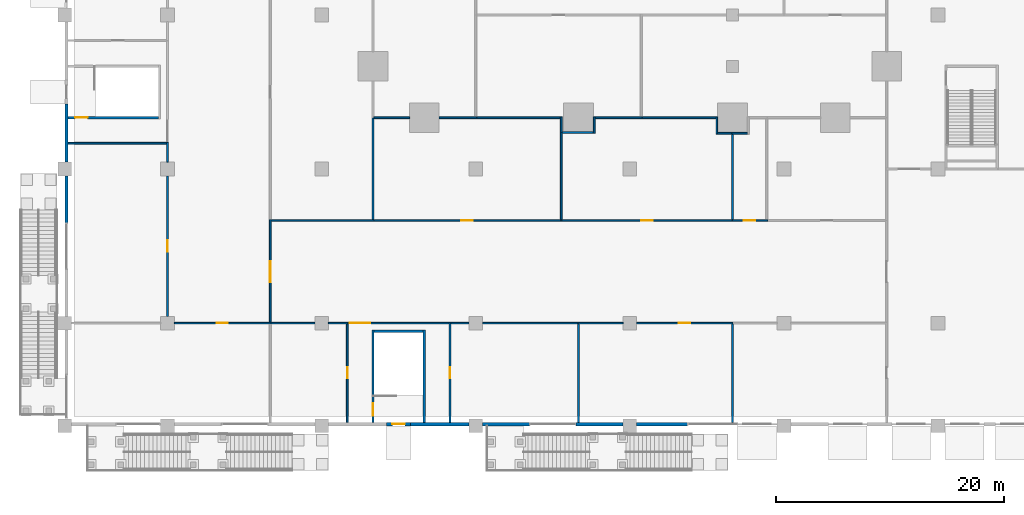
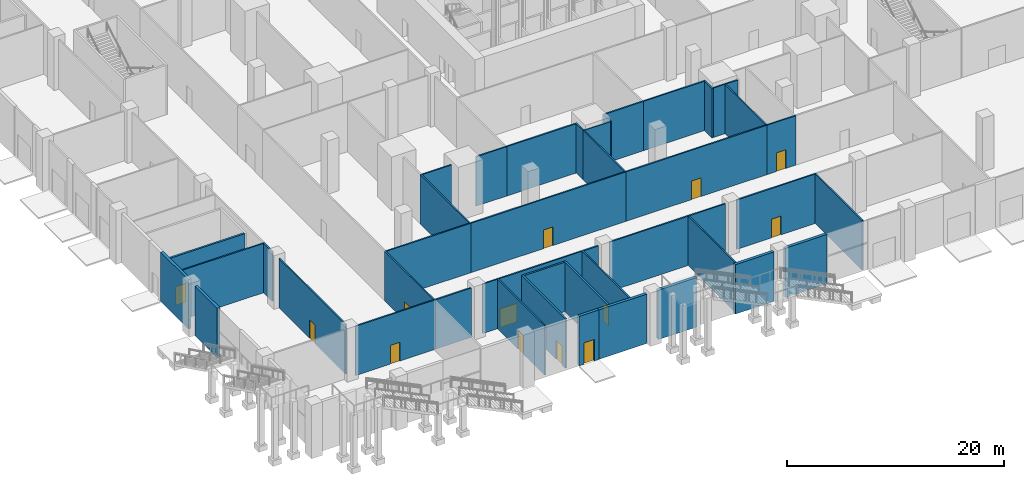
# One storey, part 23 of 68: 45 walls, 13 doors, 13 openings.
"""IFC4 building model written with IfcOpenShell, lengths in metres."""

from ifc_helpers import new_model, si_unit, direction, frame, frame_2d, origin, place, context, subcontext, project, spatial, rectangle, extrude, material, layer, layer_set, type_object, element, fill, save


model = new_model("IFC4")

# Units and contexts
model_context = context("Model", 3, precision=1e-05, world=origin(), true_north=direction((0.0, 1.0)))
body_context = subcontext(model_context, "Body", "Model", "MODEL_VIEW")
ifc_project = project(units=[si_unit("LENGTHUNIT", "METRE"), si_unit("AREAUNIT", "SQUARE_METRE"), si_unit("VOLUMEUNIT", "CUBIC_METRE"), si_unit("PLANEANGLEUNIT", "RADIAN"), si_unit("MASSUNIT", "GRAM", prefix="KILO")], contexts=[model_context])

# Site, building, storey
site_placement = place(None, origin())
site = spatial("IfcSite", under=ifc_project, at=site_placement, CompositionType="ELEMENT")
building_placement = place(site_placement, origin())
building = spatial("IfcBuilding", under=site, at=building_placement, Name="Altepetl Exchange Towers", CompositionType="ELEMENT")
storey_placement = place(building_placement, origin())
storey = spatial("IfcBuildingStorey", under=building, at=storey_placement, Name="L00 Ground concourse", CompositionType="ELEMENT", Elevation=0.0)

# Wall, opening, door
ifc_material_1 = material(Name="Gypsum board on steel studs", Category="steel")
ifc_layer_1 = layer(ifc_material_1, 0.14990234375)
ifc_layer_set_1 = layer_set([ifc_layer_1], Name="Gypsum board on steel studs")
wall_type_1 = type_object("IfcWallType", Name="Podium partition 150", PredefinedType="PARTITIONING", material=ifc_layer_set_1)
wall_1_placement = place(storey_placement, frame((9.594970703125, 9.0, 0.0)))
wall_1 = element("IfcWall", 1, at=wall_1_placement, inside=storey, type_object=wall_type_1, Name="wall:P:L00:P043", PredefinedType="PARTITIONING", context=body_context, shape_type="SweptSolid", body=[
    extrude(rectangle(XDim=8.47998046875, YDim=0.14990234375, at=frame_2d((4.239990234375, 0.0))), origin(), (0.0, 0.0, 1.0), 5.550048828125),
])
opening_1_placement = place(wall_1_placement, frame((3.699951171875, 0.0, 0.0)))
opening_1 = element("IfcOpeningElement", 2, at=opening_1_placement, cuts=wall_1, Name="Opening L00.P001", PredefinedType="OPENING", context=body_context, shape_type="SweptSolid", body=[
    extrude(rectangle(XDim=1.0, YDim=2.10009765625, at=frame_2d((0.5, 1.050048828125))), frame((0.0, 0.0849609375, 0.0), z_axis=(0.0, -1.0, 0.0), x_axis=(1.0, 0.0, 0.0)), (0.0, 0.0, 1.0), 0.169921875),
])
ifc_material_2 = material(Name="Steel and timber fire door", Category="steel")
door_type_1 = type_object("IfcDoorType", Name="Podium fire door 1000 x 2100 single leaf", OperationType="SINGLE_SWING_LEFT", PredefinedType="DOOR", material=ifc_material_2)
door_1_placement = place(opening_1_placement, frame((1.0, 0.0, 0.0), x_axis=(-1.0, 0.0, 0.0)))
door_1 = element("IfcDoor", 3, at=door_1_placement, inside=storey, type_object=door_type_1, Name="door:P:L00:001", OperationType="SINGLE_SWING_LEFT", OverallHeight=2.10009765625, OverallWidth=1.0, PredefinedType="DOOR", context=body_context, shape_type="SweptSolid", body=[
    extrude(rectangle(XDim=1.0, YDim=2.10009765625, at=frame_2d((0.5, 1.050048828125))), frame((0.0, 0.02490234375, 0.0), z_axis=(0.0, -1.0, 0.0), x_axis=(1.0, 0.0, 0.0)), (0.0, 0.0, 1.0), 0.050048828125),
])
fill(opening_1, door_1)

wall_2_placement = place(storey_placement, frame((24.75, 0.300048828125, 0.0), z_axis=(0.0, 0.0, 1.0), x_axis=(0.0, 1.0, 0.0)))
wall_2 = element("IfcWall", 4, at=wall_2_placement, inside=storey, type_object=wall_type_1, Name="wall:P:L00:P045", PredefinedType="PARTITIONING", context=body_context, shape_type="SweptSolid", body=[
    extrude(rectangle(XDim=8.77490234375, YDim=0.14990234375, at=frame_2d((4.387451171875, 0.0))), origin(), (0.0, 0.0, 1.0), 5.550048828125),
])
opening_2_placement = place(wall_2_placement, frame((3.85009765625, 0.0, 0.0)))
opening_2 = element("IfcOpeningElement", 5, at=opening_2_placement, cuts=wall_2, Name="Opening L00.P002", PredefinedType="OPENING", context=body_context, shape_type="SweptSolid", body=[
    extrude(rectangle(XDim=1.0, YDim=2.10009765625, at=frame_2d((0.5, 1.050048828125))), frame((0.0, 0.0849609375, 0.0), z_axis=(0.0, -1.0, 0.0), x_axis=(1.0, 0.0, 0.0)), (0.0, 0.0, 1.0), 0.169921875),
])
door_2_placement = place(opening_2_placement, origin())
door_2 = element("IfcDoor", 6, at=door_2_placement, inside=storey, type_object=door_type_1, Name="door:P:L00:002", OperationType="SINGLE_SWING_RIGHT", OverallHeight=2.10009765625, OverallWidth=1.0, PredefinedType="DOOR", context=body_context, shape_type="SweptSolid", body=[
    extrude(rectangle(XDim=1.0, YDim=2.10009765625, at=frame_2d((0.5, 1.050048828125))), frame((0.0, 0.02490234375, 0.0), z_axis=(0.0, -1.0, 0.0), x_axis=(1.0, 0.0, 0.0)), (0.0, 0.0, 1.0), 0.050048828125),
])
fill(opening_2, door_2)

# Walls
wall_3_placement = place(storey_placement, frame((18.074951171875, 9.0, 0.0)))
element("IfcWall", 7, at=wall_3_placement, inside=storey, type_object=wall_type_1, Name="wall:P:L00:P046", PredefinedType="PARTITIONING", context=body_context, shape_type="SweptSolid", body=[
    extrude(rectangle(XDim=3.830078125, YDim=0.14990234375, at=frame_2d((1.9150390625, 0.0))), origin(), (0.0, 0.0, 1.0), 5.550048828125),
])
wall_4_placement = place(storey_placement, frame((23.094970703125, 9.0, 0.0)))
element("IfcWall", 8, at=wall_4_placement, inside=storey, type_object=wall_type_1, Name="wall:P:L00:P047", PredefinedType="PARTITIONING", context=body_context, shape_type="SweptSolid", body=[
    extrude(rectangle(XDim=1.655029296875, YDim=0.14990234375, at=frame_2d((0.82763671875, 0.0))), origin(), (0.0, 0.0, 1.0), 5.550048828125),
])

# Wall, opening, door
wall_5_placement = place(storey_placement, frame((33.75, 0.300048828125, 0.0), z_axis=(0.0, 0.0, 1.0), x_axis=(0.0, 1.0, 0.0)))
wall_5 = element("IfcWall", 9, at=wall_5_placement, inside=storey, type_object=wall_type_1, Name="wall:P:L00:P048", PredefinedType="PARTITIONING", context=body_context, shape_type="SweptSolid", body=[
    extrude(rectangle(XDim=8.77490234375, YDim=0.14990234375, at=frame_2d((4.387451171875, 0.0))), origin(), (0.0, 0.0, 1.0), 5.550048828125),
])
opening_3_placement = place(wall_5_placement, frame((3.85009765625, 0.0, 0.0)))
opening_3 = element("IfcOpeningElement", 10, at=opening_3_placement, cuts=wall_5, Name="Opening L00.P003", PredefinedType="OPENING", context=body_context, shape_type="SweptSolid", body=[
    extrude(rectangle(XDim=1.0, YDim=2.10009765625, at=frame_2d((0.5, 1.050048828125))), frame((0.0, 0.0849609375, 0.0), z_axis=(0.0, -1.0, 0.0), x_axis=(1.0, 0.0, 0.0)), (0.0, 0.0, 1.0), 0.169921875),
])
door_3_placement = place(opening_3_placement, frame((1.0, 0.0, 0.0), x_axis=(-1.0, 0.0, 0.0)))
door_3 = element("IfcDoor", 11, at=door_3_placement, inside=storey, type_object=door_type_1, Name="door:P:L00:003", OperationType="SINGLE_SWING_LEFT", OverallHeight=2.10009765625, OverallWidth=1.0, PredefinedType="DOOR", context=body_context, shape_type="SweptSolid", body=[
    extrude(rectangle(XDim=1.0, YDim=2.10009765625, at=frame_2d((0.5, 1.050048828125))), frame((0.0, 0.02490234375, 0.0), z_axis=(0.0, -1.0, 0.0), x_axis=(1.0, 0.0, 0.0)), (0.0, 0.0, 1.0), 0.050048828125),
])
fill(opening_3, door_3)

wall_6_placement = place(storey_placement, frame((24.824951171875, 9.0, 0.0)))
wall_6 = element("IfcWall", 12, at=wall_6_placement, inside=storey, type_object=wall_type_1, Name="wall:P:L00:P049", PredefinedType="PARTITIONING", context=body_context, shape_type="SweptSolid", body=[
    extrude(rectangle(XDim=8.925048828125, YDim=0.14990234375, at=frame_2d((4.46240234375, 0.0))), origin(), (0.0, 0.0, 1.0), 5.550048828125),
])
opening_4_placement = place(wall_6_placement, frame((0.125, 0.0, 0.0)))
opening_4 = element("IfcOpeningElement", 13, at=opening_4_placement, cuts=wall_6, Name="Opening L00.P076", PredefinedType="OPENING", context=body_context, shape_type="SweptSolid", body=[
    extrude(rectangle(XDim=1.800048828125, YDim=2.10009765625, at=frame_2d((0.89990234375, 1.050048828125))), frame((0.0, 0.0849609375, 0.0), z_axis=(0.0, -1.0, 0.0), x_axis=(1.0, 0.0, 0.0)), (0.0, 0.0, 1.0), 0.169921875),
])
ifc_material_3 = material(Name="Glazed aluminium and steel", Category="steel")
door_type_2 = type_object("IfcDoorType", Name="Podium fire door 1800 x 2100 double leaf", OperationType="DOUBLE_DOOR_SINGLE_SWING", PredefinedType="DOOR", material=ifc_material_3)
door_4_placement = place(opening_4_placement, frame((1.800048828125, 0.0, 0.0), x_axis=(-1.0, 0.0, 0.0)))
door_4 = element("IfcDoor", 14, at=door_4_placement, inside=storey, type_object=door_type_2, Name="door:P:L00:076", OperationType="DOUBLE_DOOR_SINGLE_SWING", OverallHeight=2.10009765625, OverallWidth=1.800048828125, PredefinedType="DOOR", context=body_context, shape_type="SweptSolid", body=[
    extrude(rectangle(XDim=1.800048828125, YDim=2.10009765625, at=frame_2d((0.89990234375, 1.050048828125))), frame((0.0, 0.02490234375, 0.0), z_axis=(0.0, -1.0, 0.0), x_axis=(1.0, 0.0, 0.0)), (0.0, 0.0, 1.0), 0.050048828125),
])
fill(opening_4, door_4)

# Walls
wall_7_placement = place(storey_placement, frame((45.0, 0.300048828125, 0.0), z_axis=(0.0, 0.0, 1.0), x_axis=(0.0, 1.0, 0.0)))
element("IfcWall", 15, at=wall_7_placement, inside=storey, type_object=wall_type_1, Name="wall:P:L00:P053", PredefinedType="PARTITIONING", context=body_context, shape_type="SweptSolid", body=[
    extrude(rectangle(XDim=8.77490234375, YDim=0.14990234375, at=frame_2d((4.387451171875, 0.0))), origin(), (0.0, 0.0, 1.0), 5.550048828125),
])
wall_8_placement = place(storey_placement, frame((33.824951171875, 9.0, 0.0)))
element("IfcWall", 16, at=wall_8_placement, inside=storey, type_object=wall_type_1, Name="wall:P:L00:P054", PredefinedType="PARTITIONING", context=body_context, shape_type="SweptSolid", body=[
    extrude(rectangle(XDim=1.580078125, YDim=0.14990234375, at=frame_2d((0.7900390625, 0.0))), origin(), (0.0, 0.0, 1.0), 5.550048828125),
])
wall_9_placement = place(storey_placement, frame((36.594970703125, 9.0, 0.0)))
element("IfcWall", 17, at=wall_9_placement, inside=storey, type_object=wall_type_1, Name="wall:P:L00:P055", PredefinedType="PARTITIONING", context=body_context, shape_type="SweptSolid", body=[
    extrude(rectangle(XDim=8.330078125, YDim=0.14990234375, at=frame_2d((4.1650390625, 0.0))), origin(), (0.0, 0.0, 1.0), 5.550048828125),
])
wall_10_placement = place(storey_placement, frame((58.5, 0.300048828125, 0.0), z_axis=(0.0, 0.0, 1.0), x_axis=(0.0, 1.0, 0.0)))
element("IfcWall", 18, at=wall_10_placement, inside=storey, type_object=wall_type_1, Name="wall:P:L00:P056", PredefinedType="PARTITIONING", context=body_context, shape_type="SweptSolid", body=[
    extrude(rectangle(XDim=8.77490234375, YDim=0.14990234375, at=frame_2d((4.387451171875, 0.0))), origin(), (0.0, 0.0, 1.0), 5.550048828125),
])
wall_11_placement = place(storey_placement, frame((45.0, 9.0, 0.0)))
element("IfcWall", 19, at=wall_11_placement, inside=storey, type_object=wall_type_1, Name="wall:P:L00:P057", PredefinedType="PARTITIONING", context=body_context, shape_type="SweptSolid", body=[
    extrude(rectangle(XDim=3.905029296875, YDim=0.14990234375, at=frame_2d((1.95263671875, 0.0))), origin(), (0.0, 0.0, 1.0), 5.550048828125),
])

# Wall, opening, door
wall_12_placement = place(storey_placement, frame((50.094970703125, 9.0, 0.0)))
wall_12 = element("IfcWall", 20, at=wall_12_placement, inside=storey, type_object=wall_type_1, Name="wall:P:L00:P058", PredefinedType="PARTITIONING", context=body_context, shape_type="SweptSolid", body=[
    extrude(rectangle(XDim=8.405029296875, YDim=0.14990234375, at=frame_2d((4.20263671875, 0.0))), origin(), (0.0, 0.0, 1.0), 5.550048828125),
])
opening_5_placement = place(wall_12_placement, frame((3.699951171875, 0.0, 0.0)))
opening_5 = element("IfcOpeningElement", 21, at=opening_5_placement, cuts=wall_12, Name="Opening L00.P004", PredefinedType="OPENING", context=body_context, shape_type="SweptSolid", body=[
    extrude(rectangle(XDim=1.0, YDim=2.10009765625, at=frame_2d((0.5, 1.050048828125))), frame((0.0, 0.0849609375, 0.0), z_axis=(0.0, -1.0, 0.0), x_axis=(1.0, 0.0, 0.0)), (0.0, 0.0, 1.0), 0.169921875),
])
door_5_placement = place(opening_5_placement, frame((1.0, 0.0, 0.0), x_axis=(-1.0, 0.0, 0.0)))
door_5 = element("IfcDoor", 22, at=door_5_placement, inside=storey, type_object=door_type_1, Name="door:P:L00:004", OperationType="SINGLE_SWING_LEFT", OverallHeight=2.10009765625, OverallWidth=1.0, PredefinedType="DOOR", context=body_context, shape_type="SweptSolid", body=[
    extrude(rectangle(XDim=1.0, YDim=2.10009765625, at=frame_2d((0.5, 1.050048828125))), frame((0.0, 0.02490234375, 0.0), z_axis=(0.0, -1.0, 0.0), x_axis=(1.0, 0.0, 0.0)), (0.0, 0.0, 1.0), 0.050048828125),
])
fill(opening_5, door_5)

wall_13_placement = place(storey_placement, frame((18.0, 9.074951171875, 0.0), z_axis=(0.0, 0.0, 1.0), x_axis=(0.0, 1.0, 0.0)))
wall_13 = element("IfcWall", 23, at=wall_13_placement, inside=storey, type_object=wall_type_1, Name="wall:P:L00:P061", PredefinedType="PARTITIONING", context=body_context, shape_type="SweptSolid", body=[
    extrude(rectangle(XDim=9.0, YDim=0.14990234375, at=frame_2d((4.5, 0.0))), origin(), (0.0, 0.0, 1.0), 5.550048828125),
])
opening_6_placement = place(wall_13_placement, frame((3.52490234375, 0.0, 0.0)))
opening_6 = element("IfcOpeningElement", 24, at=opening_6_placement, cuts=wall_13, Name="Opening L00.P077", PredefinedType="OPENING", context=body_context, shape_type="SweptSolid", body=[
    extrude(rectangle(XDim=1.800048828125, YDim=2.10009765625, at=frame_2d((0.89990234375, 1.050048828125))), frame((0.0, 0.0849609375, 0.0), z_axis=(0.0, -1.0, 0.0), x_axis=(1.0, 0.0, 0.0)), (0.0, 0.0, 1.0), 0.169921875),
])
door_6_placement = place(opening_6_placement, frame((1.800048828125, 0.0, 0.0), x_axis=(-1.0, 0.0, 0.0)))
door_6 = element("IfcDoor", 25, at=door_6_placement, inside=storey, type_object=door_type_2, Name="door:P:L00:077", OperationType="DOUBLE_DOOR_SINGLE_SWING", OverallHeight=2.10009765625, OverallWidth=1.800048828125, PredefinedType="DOOR", context=body_context, shape_type="SweptSolid", body=[
    extrude(rectangle(XDim=1.800048828125, YDim=2.10009765625, at=frame_2d((0.89990234375, 1.050048828125))), frame((0.0, 0.02490234375, 0.0), z_axis=(0.0, -1.0, 0.0), x_axis=(1.0, 0.0, 0.0)), (0.0, 0.0, 1.0), 0.050048828125),
])
fill(opening_6, door_6)

# Wall
wall_14_placement = place(storey_placement, frame((18.074951171875, 18.0, 0.0)))
element("IfcWall", 26, at=wall_14_placement, inside=storey, type_object=wall_type_1, Name="wall:P:L00:P062", PredefinedType="PARTITIONING", context=body_context, shape_type="SweptSolid", body=[
    extrude(rectangle(XDim=9.0, YDim=0.14990234375, at=frame_2d((4.5, 0.0))), origin(), (0.0, 0.0, 1.0), 5.550048828125),
])

# Wall, opening, door
wall_15_placement = place(storey_placement, frame((27.0, 18.0, 0.0)))
wall_15 = element("IfcWall", 27, at=wall_15_placement, inside=storey, type_object=wall_type_1, Name="wall:P:L00:P063", PredefinedType="PARTITIONING", context=body_context, shape_type="SweptSolid", body=[
    extrude(rectangle(XDim=16.574951171875, YDim=0.14990234375, at=frame_2d((8.28759765625, 0.0))), origin(), (0.0, 0.0, 1.0), 5.550048828125),
])
opening_7_placement = place(wall_15_placement, frame((7.75, 0.0, 0.0)))
opening_7 = element("IfcOpeningElement", 28, at=opening_7_placement, cuts=wall_15, Name="Opening L00.P017", PredefinedType="OPENING", context=body_context, shape_type="SweptSolid", body=[
    extrude(rectangle(XDim=1.0, YDim=2.10009765625, at=frame_2d((0.5, 1.050048828125))), frame((0.0, 0.0849609375, 0.0), z_axis=(0.0, -1.0, 0.0), x_axis=(1.0, 0.0, 0.0)), (0.0, 0.0, 1.0), 0.169921875),
])
door_7_placement = place(opening_7_placement, origin())
door_7 = element("IfcDoor", 29, at=door_7_placement, inside=storey, type_object=door_type_1, Name="door:P:L00:017", OperationType="SINGLE_SWING_LEFT", OverallHeight=2.10009765625, OverallWidth=1.0, PredefinedType="DOOR", context=body_context, shape_type="SweptSolid", body=[
    extrude(rectangle(XDim=1.0, YDim=2.10009765625, at=frame_2d((0.5, 1.050048828125))), frame((0.0, 0.02490234375, 0.0), z_axis=(0.0, -1.0, 0.0), x_axis=(1.0, 0.0, 0.0)), (0.0, 0.0, 1.0), 0.050048828125),
])
fill(opening_7, door_7)

wall_16_placement = place(storey_placement, frame((43.5, 18.0, 0.0)))
wall_16 = element("IfcWall", 30, at=wall_16_placement, inside=storey, type_object=wall_type_1, Name="wall:P:L00:P064", PredefinedType="PARTITIONING", context=body_context, shape_type="SweptSolid", body=[
    extrude(rectangle(XDim=15.074951171875, YDim=0.14990234375, at=frame_2d((7.53759765625, 0.0))), origin(), (0.0, 0.0, 1.0), 5.550048828125),
])
opening_8_placement = place(wall_16_placement, frame((7.0, 0.0, 0.0)))
opening_8 = element("IfcOpeningElement", 31, at=opening_8_placement, cuts=wall_16, Name="Opening L00.P018", PredefinedType="OPENING", context=body_context, shape_type="SweptSolid", body=[
    extrude(rectangle(XDim=1.0, YDim=2.10009765625, at=frame_2d((0.5, 1.050048828125))), frame((0.0, 0.0849609375, 0.0), z_axis=(0.0, -1.0, 0.0), x_axis=(1.0, 0.0, 0.0)), (0.0, 0.0, 1.0), 0.169921875),
])
door_8_placement = place(opening_8_placement, origin())
door_8 = element("IfcDoor", 32, at=door_8_placement, inside=storey, type_object=door_type_1, Name="door:P:L00:018", OperationType="SINGLE_SWING_RIGHT", OverallHeight=2.10009765625, OverallWidth=1.0, PredefinedType="DOOR", context=body_context, shape_type="SweptSolid", body=[
    extrude(rectangle(XDim=1.0, YDim=2.10009765625, at=frame_2d((0.5, 1.050048828125))), frame((0.0, 0.02490234375, 0.0), z_axis=(0.0, -1.0, 0.0), x_axis=(1.0, 0.0, 0.0)), (0.0, 0.0, 1.0), 0.050048828125),
])
fill(opening_8, door_8)

wall_17_placement = place(storey_placement, frame((58.5, 18.0, 0.0)))
wall_17 = element("IfcWall", 33, at=wall_17_placement, inside=storey, type_object=wall_type_1, Name="wall:P:L00:P065", PredefinedType="PARTITIONING", context=body_context, shape_type="SweptSolid", body=[
    extrude(rectangle(XDim=3.074951171875, YDim=0.14990234375, at=frame_2d((1.53759765625, 0.0))), origin(), (0.0, 0.0, 1.0), 5.550048828125),
])
opening_9_placement = place(wall_17_placement, frame((1.0, 0.0, 0.0)))
opening_9 = element("IfcOpeningElement", 34, at=opening_9_placement, cuts=wall_17, Name="Opening L00.P019", PredefinedType="OPENING", context=body_context, shape_type="SweptSolid", body=[
    extrude(rectangle(XDim=1.0, YDim=2.10009765625, at=frame_2d((0.5, 1.050048828125))), frame((0.0, 0.0849609375, 0.0), z_axis=(0.0, -1.0, 0.0), x_axis=(1.0, 0.0, 0.0)), (0.0, 0.0, 1.0), 0.169921875),
])
door_9_placement = place(opening_9_placement, origin())
door_9 = element("IfcDoor", 35, at=door_9_placement, inside=storey, type_object=door_type_1, Name="door:P:L00:019", OperationType="SINGLE_SWING_RIGHT", OverallHeight=2.10009765625, OverallWidth=1.0, PredefinedType="DOOR", context=body_context, shape_type="SweptSolid", body=[
    extrude(rectangle(XDim=1.0, YDim=2.10009765625, at=frame_2d((0.5, 1.050048828125))), frame((0.0, 0.02490234375, 0.0), z_axis=(0.0, -1.0, 0.0), x_axis=(1.0, 0.0, 0.0)), (0.0, 0.0, 1.0), 0.050048828125),
])
fill(opening_9, door_9)

wall_18_placement = place(storey_placement, frame((9.0, 9.594970703125, 0.0), z_axis=(0.0, 0.0, 1.0), x_axis=(0.0, 1.0, 0.0)))
wall_18 = element("IfcWall", 36, at=wall_18_placement, inside=storey, type_object=wall_type_1, Name="wall:P:L00:P068", PredefinedType="PARTITIONING", context=body_context, shape_type="SweptSolid", body=[
    extrude(rectangle(XDim=12.31005859375, YDim=0.14990234375, at=frame_2d((6.155029296875, 0.0))), origin(), (0.0, 0.0, 1.0), 5.550048828125),
])
opening_10_placement = place(wall_18_placement, frame((5.64990234375, 0.0, 0.0)))
opening_10 = element("IfcOpeningElement", 37, at=opening_10_placement, cuts=wall_18, Name="Opening L00.P006", PredefinedType="OPENING", context=body_context, shape_type="SweptSolid", body=[
    extrude(rectangle(XDim=1.0, YDim=2.10009765625, at=frame_2d((0.5, 1.050048828125))), frame((0.0, 0.0849609375, 0.0), z_axis=(0.0, -1.0, 0.0), x_axis=(1.0, 0.0, 0.0)), (0.0, 0.0, 1.0), 0.169921875),
])
door_10_placement = place(opening_10_placement, origin())
door_10 = element("IfcDoor", 38, at=door_10_placement, inside=storey, type_object=door_type_1, Name="door:P:L00:006", OperationType="SINGLE_SWING_RIGHT", OverallHeight=2.10009765625, OverallWidth=1.0, PredefinedType="DOOR", context=body_context, shape_type="SweptSolid", body=[
    extrude(rectangle(XDim=1.0, YDim=2.10009765625, at=frame_2d((0.5, 1.050048828125))), frame((0.0, 0.02490234375, 0.0), z_axis=(0.0, -1.0, 0.0), x_axis=(1.0, 0.0, 0.0)), (0.0, 0.0, 1.0), 0.050048828125),
])
fill(opening_10, door_10)

# Walls
wall_19_placement = place(storey_placement, frame((9.0, 23.094970703125, 0.0), z_axis=(0.0, 0.0, 1.0), x_axis=(0.0, 1.0, 0.0)))
element("IfcWall", 39, at=wall_19_placement, inside=storey, type_object=wall_type_1, Name="wall:P:L00:P069", PredefinedType="PARTITIONING", context=body_context, shape_type="SweptSolid", body=[
    extrude(rectangle(XDim=1.72998046875, YDim=0.14990234375, at=frame_2d((0.864990234375, 0.0))), origin(), (0.0, 0.0, 1.0), 5.550048828125),
])
wall_20_placement = place(storey_placement, frame((0.300048828125, 24.75, 0.0)))
element("IfcWall", 40, at=wall_20_placement, inside=storey, type_object=wall_type_1, Name="wall:P:L00:P100", PredefinedType="PARTITIONING", context=body_context, shape_type="SweptSolid", body=[
    extrude(rectangle(XDim=8.625, YDim=0.14990234375, at=frame_2d((4.3125, 0.0))), origin(), (0.0, 0.0, 1.0), 5.550048828125),
])
wall_21_placement = place(storey_placement, frame((27.0, 18.074951171875, 0.0), z_axis=(0.0, 0.0, 1.0), x_axis=(0.0, 1.0, 0.0)))
element("IfcWall", 41, at=wall_21_placement, inside=storey, type_object=wall_type_1, Name="wall:P:L00:P121", PredefinedType="PARTITIONING", context=body_context, shape_type="SweptSolid", body=[
    extrude(rectangle(XDim=9.0, YDim=0.14990234375, at=frame_2d((4.5, 0.0))), origin(), (0.0, 0.0, 1.0), 5.550048828125),
])
wall_22_placement = place(storey_placement, frame((43.5, 18.074951171875, 0.0), z_axis=(0.0, 0.0, 1.0), x_axis=(0.0, 1.0, 0.0)))
element("IfcWall", 42, at=wall_22_placement, inside=storey, type_object=wall_type_1, Name="wall:P:L00:P136", PredefinedType="PARTITIONING", context=body_context, shape_type="SweptSolid", body=[
    extrude(rectangle(XDim=7.699951171875, YDim=0.14990234375, at=frame_2d((3.85009765625, 0.0))), origin(), (0.0, 0.0, 1.0), 5.550048828125),
])
wall_23_placement = place(storey_placement, frame((27.074951171875, 27.0, 0.0)))
element("IfcWall", 43, at=wall_23_placement, inside=storey, type_object=wall_type_1, Name="wall:P:L00:P137", PredefinedType="PARTITIONING", context=body_context, shape_type="SweptSolid", body=[
    extrude(rectangle(XDim=3.130126953125, YDim=0.14990234375, at=frame_2d((1.56494140625, 0.0))), origin(), (0.0, 0.0, 1.0), 5.550048828125),
])
wall_24_placement = place(storey_placement, frame((32.794921875, 27.0, 0.0)))
element("IfcWall", 44, at=wall_24_placement, inside=storey, type_object=wall_type_1, Name="wall:P:L00:P138", PredefinedType="PARTITIONING", context=body_context, shape_type="SweptSolid", body=[
    extrude(rectangle(XDim=3.280029296875, YDim=0.14990234375, at=frame_2d((1.64013671875, 0.0))), origin(), (0.0, 0.0, 1.0), 5.550048828125),
])
wall_25_placement = place(storey_placement, frame((43.5, 25.699951171875, 0.0), z_axis=(0.0, 0.0, 1.0), x_axis=(0.0, 1.0, 0.0)))
element("IfcWall", 45, at=wall_25_placement, inside=storey, type_object=wall_type_1, Name="wall:P:L00:P139", PredefinedType="PARTITIONING", context=body_context, shape_type="SweptSolid", body=[
    extrude(rectangle(XDim=1.375, YDim=0.14990234375, at=frame_2d((0.6875, 0.0))), origin(), (0.0, 0.0, 1.0), 5.550048828125),
])
wall_26_placement = place(storey_placement, frame((36.0, 27.0, 0.0)))
element("IfcWall", 46, at=wall_26_placement, inside=storey, type_object=wall_type_1, Name="wall:P:L00:P140", PredefinedType="PARTITIONING", context=body_context, shape_type="SweptSolid", body=[
    extrude(rectangle(XDim=7.425048828125, YDim=0.14990234375, at=frame_2d((3.71240234375, 0.0))), origin(), (0.0, 0.0, 1.0), 5.550048828125),
])
wall_27_placement = place(storey_placement, frame((58.5, 18.074951171875, 0.0), z_axis=(0.0, 0.0, 1.0), x_axis=(0.0, 1.0, 0.0)))
element("IfcWall", 47, at=wall_27_placement, inside=storey, type_object=wall_type_1, Name="wall:P:L00:P141", PredefinedType="PARTITIONING", context=body_context, shape_type="SweptSolid", body=[
    extrude(rectangle(XDim=7.625, YDim=0.14990234375, at=frame_2d((3.8125, 0.0))), origin(), (0.0, 0.0, 1.0), 5.550048828125),
])
wall_28_placement = place(storey_placement, frame((46.375, 25.625, 0.0), z_axis=(0.0, 0.0, 1.0), x_axis=(0.0, 1.0, 0.0)))
element("IfcWall", 48, at=wall_28_placement, inside=storey, type_object=wall_type_1, Name="wall:P:L00:P142", PredefinedType="PARTITIONING", context=body_context, shape_type="SweptSolid", body=[
    extrude(rectangle(XDim=1.449951171875, YDim=0.14990234375, at=frame_2d((0.72509765625, 0.0))), origin(), (0.0, 0.0, 1.0), 5.550048828125),
])
wall_29_placement = place(storey_placement, frame((43.574951171875, 25.699951171875, 0.0)))
element("IfcWall", 49, at=wall_29_placement, inside=storey, type_object=wall_type_1, Name="wall:P:L00:P143", PredefinedType="PARTITIONING", context=body_context, shape_type="SweptSolid", body=[
    extrude(rectangle(XDim=2.72509765625, YDim=0.14990234375, at=frame_2d((1.362548828125, 0.0))), origin(), (0.0, 0.0, 1.0), 5.550048828125),
])
wall_30_placement = place(storey_placement, frame((46.449951171875, 27.0, 0.0)))
element("IfcWall", 50, at=wall_30_placement, inside=storey, type_object=wall_type_1, Name="wall:P:L00:P144", PredefinedType="PARTITIONING", context=body_context, shape_type="SweptSolid", body=[
    extrude(rectangle(XDim=4.125, YDim=0.14990234375, at=frame_2d((2.0625, 0.0))), origin(), (0.0, 0.0, 1.0), 5.550048828125),
])
wall_31_placement = place(storey_placement, frame((57.125, 25.550048828125, 0.0), z_axis=(0.0, 0.0, 1.0), x_axis=(0.0, 1.0, 0.0)))
element("IfcWall", 51, at=wall_31_placement, inside=storey, type_object=wall_type_1, Name="wall:P:L00:P145", PredefinedType="PARTITIONING", context=body_context, shape_type="SweptSolid", body=[
    extrude(rectangle(XDim=1.52490234375, YDim=0.14990234375, at=frame_2d((0.762451171875, 0.0))), origin(), (0.0, 0.0, 1.0), 5.550048828125),
])
wall_32_placement = place(storey_placement, frame((57.199951171875, 25.625, 0.0)))
element("IfcWall", 52, at=wall_32_placement, inside=storey, type_object=wall_type_1, Name="wall:P:L00:P146", PredefinedType="PARTITIONING", context=body_context, shape_type="SweptSolid", body=[
    extrude(rectangle(XDim=1.22509765625, YDim=0.14990234375, at=frame_2d((0.612548828125, 0.0))), origin(), (0.0, 0.0, 1.0), 5.550048828125),
])
wall_33_placement = place(storey_placement, frame((50.5, 27.0, 0.0)))
element("IfcWall", 53, at=wall_33_placement, inside=storey, type_object=wall_type_1, Name="wall:P:L00:P147", PredefinedType="PARTITIONING", context=body_context, shape_type="SweptSolid", body=[
    extrude(rectangle(XDim=6.550048828125, YDim=0.14990234375, at=frame_2d((3.27490234375, 0.0))), origin(), (0.0, 0.0, 1.0), 5.550048828125),
])
wall_34_placement = place(storey_placement, frame((58.425048828125, 25.625, 0.0)))
element("IfcWall", 54, at=wall_34_placement, inside=storey, type_object=wall_type_1, Name="wall:P:L00:P150", PredefinedType="PARTITIONING", context=body_context, shape_type="SweptSolid", body=[
    extrude(rectangle(XDim=1.375, YDim=0.14990234375, at=frame_2d((0.6875, 0.0))), origin(), (0.0, 0.0, 1.0), 5.550048828125),
])

# Wall, opening, door
ifc_material_4 = material(Name="Reinforced concrete C35/45", Category="concrete")
ifc_layer_2 = layer(ifc_material_4, 0.199951171875)
ifc_layer_set_2 = layer_set([ifc_layer_2], Name="Reinforced concrete C35/45")
wall_type_2 = type_object("IfcWallType", Name="Stair enclosure wall 200", PredefinedType="SOLIDWALL", material=ifc_layer_set_2)
wall_35_placement = place(storey_placement, frame((27.0, 0.300048828125, 0.0), z_axis=(0.0, 0.0, 1.0), x_axis=(0.0, 1.0, 0.0)))
wall_35 = element("IfcWall", 55, at=wall_35_placement, inside=storey, type_object=wall_type_2, Name="wall:P:L00:P050", PredefinedType="SOLIDWALL", context=body_context, shape_type="SweptSolid", body=[
    extrude(rectangle(XDim=8.099853515625, YDim=0.199951171875, at=frame_2d((4.0498046875, 0.0))), origin(), (0.0, 0.0, 1.0), 5.550048828125),
])
opening_11_placement = place(wall_35_placement, frame((0.60009765625, 0.0, 0.0)))
opening_11 = element("IfcOpeningElement", 56, at=opening_11_placement, cuts=wall_35, Name="Opening L00.P053", PredefinedType="OPENING", context=body_context, shape_type="SweptSolid", body=[
    extrude(rectangle(XDim=1.10009765625, YDim=2.10009765625, at=frame_2d((0.550048828125, 1.050048828125))), frame((0.0, 0.10986328125, 0.0), z_axis=(0.0, -1.0, 0.0), x_axis=(1.0, 0.0, 0.0)), (0.0, 0.0, 1.0), 0.219970703125),
])
ifc_material_5 = material(Name="Steel fire door", Category="steel")
door_type_3 = type_object("IfcDoorType", Name="Podium fire door 1100 x 2100 single leaf", OperationType="SINGLE_SWING_LEFT", PredefinedType="DOOR", material=ifc_material_5)
door_11_placement = place(opening_11_placement, origin())
door_11 = element("IfcDoor", 57, at=door_11_placement, inside=storey, type_object=door_type_3, Name="door:P:L00:053", OperationType="SINGLE_SWING_RIGHT", OverallHeight=2.10009765625, OverallWidth=1.10009765625, PredefinedType="DOOR", context=body_context, shape_type="SweptSolid", body=[
    extrude(rectangle(XDim=1.10009765625, YDim=2.10009765625, at=frame_2d((0.550048828125, 1.050048828125))), frame((0.0, 0.02490234375, 0.0), z_axis=(0.0, -1.0, 0.0), x_axis=(1.0, 0.0, 0.0)), (0.0, 0.0, 1.0), 0.050048828125),
])
fill(opening_11, door_11)

# Walls
wall_36_placement = place(storey_placement, frame((31.5, 0.300048828125, 0.0), z_axis=(0.0, 0.0, 1.0), x_axis=(0.0, 1.0, 0.0)))
element("IfcWall", 58, at=wall_36_placement, inside=storey, type_object=wall_type_2, Name="wall:P:L00:P051", PredefinedType="SOLIDWALL", context=body_context, shape_type="SweptSolid", body=[
    extrude(rectangle(XDim=8.099853515625, YDim=0.199951171875, at=frame_2d((4.0498046875, 0.0))), origin(), (0.0, 0.0, 1.0), 5.550048828125),
])
wall_37_placement = place(storey_placement, frame((27.10009765625, 8.300048828125, 0.0)))
element("IfcWall", 59, at=wall_37_placement, inside=storey, type_object=wall_type_2, Name="wall:P:L00:P052", PredefinedType="SOLIDWALL", context=body_context, shape_type="SweptSolid", body=[
    extrude(rectangle(XDim=4.2998046875, YDim=0.199951171875, at=frame_2d((2.14990234375, 0.0))), origin(), (0.0, 0.0, 1.0), 5.550048828125),
])

# Wall, opening, door
wall_38_placement = place(storey_placement, frame((0.300048828125, 27.0, 0.0)))
wall_38 = element("IfcWall", 60, at=wall_38_placement, inside=storey, type_object=wall_type_2, Name="wall:P:L00:P103", PredefinedType="SOLIDWALL", context=body_context, shape_type="SweptSolid", body=[
    extrude(rectangle(XDim=7.89990234375, YDim=0.199951171875, at=frame_2d((3.949951171875, 0.0))), origin(), (0.0, 0.0, 1.0), 5.550048828125),
])
opening_12_placement = place(wall_38_placement, frame((0.60009765625, 0.0, 0.0)))
opening_12 = element("IfcOpeningElement", 61, at=opening_12_placement, cuts=wall_38, Name="Opening L00.P055", PredefinedType="OPENING", context=body_context, shape_type="SweptSolid", body=[
    extrude(rectangle(XDim=1.10009765625, YDim=2.10009765625, at=frame_2d((0.550048828125, 1.050048828125))), frame((0.0, 0.10986328125, 0.0), z_axis=(0.0, -1.0, 0.0), x_axis=(1.0, 0.0, 0.0)), (0.0, 0.0, 1.0), 0.219970703125),
])
door_12_placement = place(opening_12_placement, frame((1.10009765625, 0.0, 0.0), x_axis=(-1.0, 0.0, 0.0)))
door_12 = element("IfcDoor", 62, at=door_12_placement, inside=storey, type_object=door_type_3, Name="door:P:L00:055", OperationType="SINGLE_SWING_LEFT", OverallHeight=2.10009765625, OverallWidth=1.10009765625, PredefinedType="DOOR", context=body_context, shape_type="SweptSolid", body=[
    extrude(rectangle(XDim=1.10009765625, YDim=2.10009765625, at=frame_2d((0.550048828125, 1.050048828125))), frame((0.0, 0.02490234375, 0.0), z_axis=(0.0, -1.0, 0.0), x_axis=(1.0, 0.0, 0.0)), (0.0, 0.0, 1.0), 0.050048828125),
])
fill(opening_12, door_12)

ifc_material_6 = material(Name="Cantera limestone cladding", Category="masonry")
ifc_layer_3 = layer(ifc_material_6, 0.300048828125)
ifc_layer_set_3 = layer_set([ifc_layer_3], Name="Cantera limestone cladding")
wall_type_3 = type_object("IfcWallType", Name="Stone wall panel 300", PredefinedType="ELEMENTEDWALL", material=ifc_layer_set_3)
wall_39_placement = place(storey_placement, frame((28.199951171875, 0.14990234375, 0.0)))
wall_39 = element("IfcWall", 63, at=wall_39_placement, inside=storey, type_object=wall_type_3, Name="Stone wall panel", PredefinedType="ELEMENTEDWALL", context=body_context, shape_type="SweptSolid", body=[
    extrude(rectangle(XDim=2.10009765625, YDim=0.300048828125, at=frame_2d((1.050048828125, 0.0))), origin(), (0.0, 0.0, 1.0), 5.550048828125),
])
opening_13_placement = place(wall_39_placement, frame((0.5, 0.0, 0.0)))
opening_13 = element("IfcOpeningElement", 64, at=opening_13_placement, cuts=wall_39, Name="Opening L00.E61", PredefinedType="OPENING", context=body_context, shape_type="SweptSolid", body=[
    extrude(rectangle(XDim=1.10009765625, YDim=2.39990234375, at=frame_2d((0.550048828125, 1.199951171875))), frame((0.0, 0.16015625, 0.0), z_axis=(0.0, -1.0, 0.0), x_axis=(1.0, 0.0, 0.0)), (0.0, 0.0, 1.0), 0.320068359375),
])
ifc_material_7 = material(Name="Steel S275", Category="steel")
door_type_4 = type_object("IfcDoorType", Name="Exit door 1100x2400 pedestrian", OperationType="SINGLE_SWING_LEFT", PredefinedType="NOTDEFINED", material=ifc_material_7)
door_13_placement = place(opening_13_placement, frame((1.10009765625, 0.0, 0.0), x_axis=(-1.0, 0.0, 0.0)))
door_13 = element("IfcDoor", 65, at=door_13_placement, inside=storey, type_object=door_type_4, Name="Exit door", OperationType="SINGLE_SWING_LEFT", OverallHeight=2.39990234375, OverallWidth=1.10009765625, PredefinedType="NOTDEFINED", context=body_context, shape_type="SweptSolid", body=[
    extrude(rectangle(XDim=1.10009765625, YDim=2.39990234375, at=frame_2d((0.550048828125, 1.199951171875))), frame((0.0, 0.02490234375, 0.0), z_axis=(0.0, -1.0, 0.0), x_axis=(1.0, 0.0, 0.0)), (0.0, 0.0, 1.0), 0.050048828125),
])
fill(opening_13, door_13)

# Walls
wall_40_placement = place(storey_placement, frame((30.300048828125, 0.14990234375, 0.0)))
element("IfcWall", 66, at=wall_40_placement, inside=storey, type_object=wall_type_3, Name="Stone wall panel", PredefinedType="ELEMENTEDWALL", context=body_context, shape_type="SweptSolid", body=[
    extrude(rectangle(XDim=5.099853515625, YDim=0.300048828125, at=frame_2d((2.5498046875, 0.0))), origin(), (0.0, 0.0, 1.0), 5.550048828125),
])
for number, where, name in (
    (67, (36.60009765625, 0.14990234375, 0.0), "Stone wall panel"),
    (68, (44.783447265625, 0.14990234375, 0.0), "Stone wall panel"),
):
    element("IfcWall", number, at=place(storey_placement, frame(where)), inside=storey, type_object=wall_type_3, Name=name, PredefinedType="ELEMENTEDWALL", context=body_context, shape_type="SweptSolid", body=[
        extrude(rectangle(XDim=4.116455078125, YDim=0.300048828125, at=frame_2d((2.05810546875, 0.0))), origin(), (0.0, 0.0, 1.0), 5.550048828125),
    ])
wall_41_placement = place(storey_placement, frame((50.10009765625, 0.14990234375, 0.0)))
element("IfcWall", 69, at=wall_41_placement, inside=storey, type_object=wall_type_3, Name="Stone wall panel", PredefinedType="ELEMENTEDWALL", context=body_context, shape_type="SweptSolid", body=[
    extrude(rectangle(XDim=4.449951171875, YDim=0.300048828125, at=frame_2d((2.22509765625, 0.0))), origin(), (0.0, 0.0, 1.0), 5.550048828125),
])
wall_42_placement = place(storey_placement, frame((0.14990234375, 28.199951171875, 0.0), z_axis=(0.0, 0.0, 1.0), x_axis=(0.0, -1.0, 0.0)))
element("IfcWall", 70, at=wall_42_placement, inside=storey, type_object=wall_type_3, Name="Stone wall panel", PredefinedType="ELEMENTEDWALL", context=body_context, shape_type="SweptSolid", body=[
    extrude(rectangle(XDim=5.099853515625, YDim=0.300048828125, at=frame_2d((2.5498046875, 0.0))), origin(), (0.0, 0.0, 1.0), 5.550048828125),
])
wall_43_placement = place(storey_placement, frame((0.14990234375, 21.89990234375, 0.0), z_axis=(0.0, 0.0, 1.0), x_axis=(0.0, -1.0, 0.0)))
element("IfcWall", 71, at=wall_43_placement, inside=storey, type_object=wall_type_3, Name="Stone wall panel", PredefinedType="ELEMENTEDWALL", context=body_context, shape_type="SweptSolid", body=[
    extrude(rectangle(XDim=4.116455078125, YDim=0.300048828125, at=frame_2d((2.05810546875, 0.0))), origin(), (0.0, 0.0, 1.0), 5.550048828125),
])

save(model, "model.ifc")
